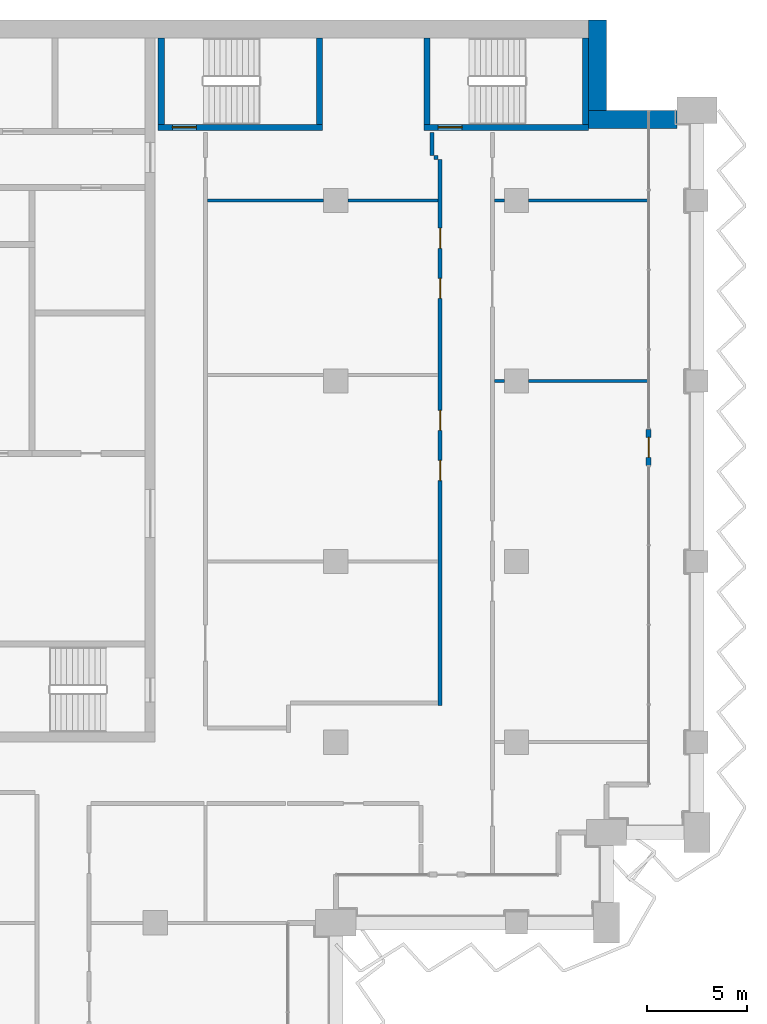
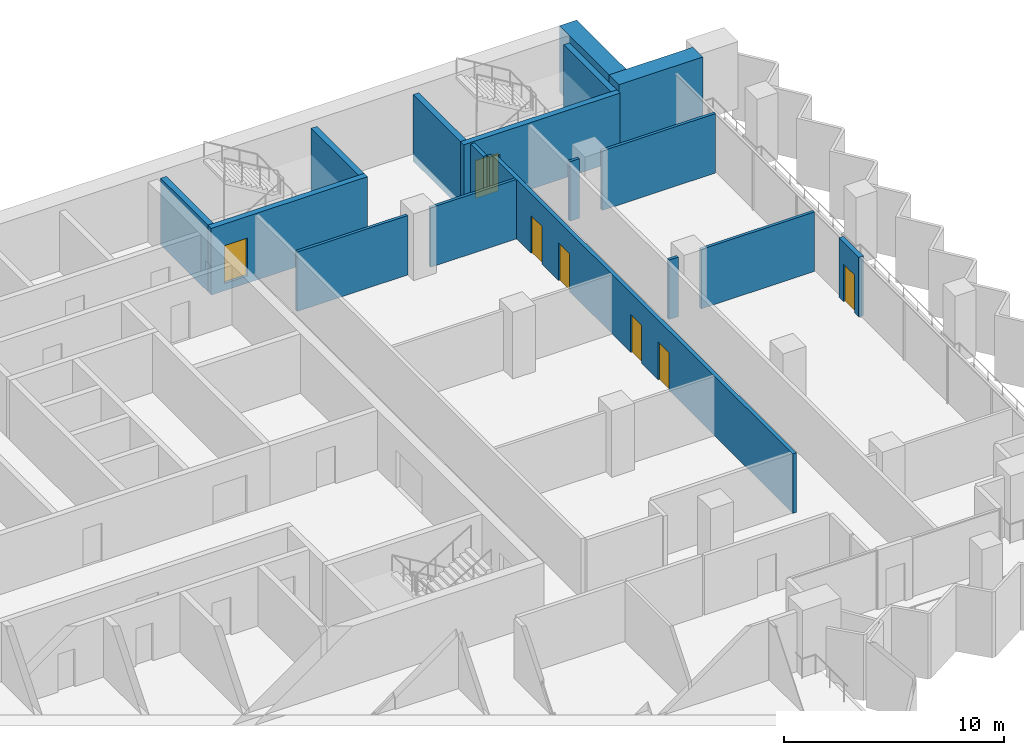
# One storey, part 15 of 23: 18 walls, 7 doors, 7 openings.
"""IFC4 building model written with IfcOpenShell, lengths in metres."""

from ifc_helpers import new_model, si_unit, direction, frame, frame_2d, origin, place, context, subcontext, project, spatial, rectangle, extrude, material, layer, layer_set, type_object, element, fill, save


model = new_model("IFC4")

# Units and contexts
model_context = context("Model", 3, precision=1e-05, world=origin(), true_north=direction((0.0, 1.0)))
body_context = subcontext(model_context, "Body", "Model", "MODEL_VIEW")
ifc_project = project(units=[si_unit("LENGTHUNIT", "METRE"), si_unit("AREAUNIT", "SQUARE_METRE"), si_unit("VOLUMEUNIT", "CUBIC_METRE"), si_unit("PLANEANGLEUNIT", "RADIAN"), si_unit("MASSUNIT", "GRAM", prefix="KILO")], contexts=[model_context])

# Site, building, storey
site_placement = place(None, origin())
site = spatial("IfcSite", under=ifc_project, at=site_placement, CompositionType="ELEMENT")
building_placement = place(site_placement, origin())
building = spatial("IfcBuilding", under=site, at=building_placement, Name="Hunhe Ridgeline Campus", CompositionType="ELEMENT")
storey_placement = place(building_placement, frame((0.0, 0.0, 144.89990234375)))
storey = spatial("IfcBuildingStorey", under=building, at=storey_placement, Name="L36", CompositionType="ELEMENT", Elevation=144.89990234375)

# Walls
ifc_material_1 = material(Name="Gypsum board partition")
ifc_layer_1 = layer(ifc_material_1, 0.199951171875)
ifc_layer_set_1 = layer_set([ifc_layer_1], Name="Corridor partition 200 gypsum board on steel studs")
wall_type_1 = type_object("IfcWallType", Name="Corridor partition 200 gypsum board on steel studs", PredefinedType="PARTITIONING", material=ifc_layer_set_1)
wall_1_placement = place(storey_placement, frame((50.10009765625, 92.14990234375, 0.0), z_axis=(0.0, 0.0, 1.0), x_axis=(-1.0, 0.0, 0.0)))
element("IfcWall", 1, at=wall_1_placement, inside=storey, type_object=wall_type_1, Name="F-L36-wall-058", PredefinedType="PARTITIONING", context=body_context, shape_type="SweptSolid", body=[
    extrude(rectangle(XDim=0.2001953125, YDim=0.199951171875, at=frame_2d((0.10009765625, 0.0))), origin(), (0.0, 0.0, 1.0), 3.300048828125),
])
wall_2_placement = place(storey_placement, frame((49.800048828125, 92.25, 0.0), z_axis=(0.0, 0.0, 1.0), x_axis=(0.0, 1.0, 0.0)))
element("IfcWall", 2, at=wall_2_placement, inside=storey, type_object=wall_type_1, Name="F-L36-wall-074", PredefinedType="PARTITIONING", context=body_context, shape_type="SweptSolid", body=[
    extrude(rectangle(XDim=1.14599609375, YDim=0.199951171875, at=frame_2d((0.572998046875, 0.0))), origin(), (0.0, 0.0, 1.0), 3.300048828125),
])

# Wall, openings, doors
wall_3_placement = place(storey_placement, frame((50.199951171875, 64.820068359375, 0.0), z_axis=(0.0, 0.0, 1.0), x_axis=(0.0, 1.0, 0.0)))
wall_3 = element("IfcWall", 3, at=wall_3_placement, inside=storey, type_object=wall_type_1, Name="F-L36-wall-075", PredefinedType="PARTITIONING", context=body_context, shape_type="SweptSolid", body=[
    extrude(rectangle(XDim=27.22998046875, YDim=0.199951171875, at=frame_2d((13.614990234375, 0.0))), origin(), (0.0, 0.0, 1.0), 3.300048828125),
])
opening_1_placement = place(wall_3_placement, frame((11.22412109375, 0.0, 0.0)))
opening_1 = element("IfcOpeningElement", 4, at=opening_1_placement, cuts=wall_3, Name="Opening RD1-031", PredefinedType="OPENING", context=body_context, shape_type="SweptSolid", body=[
    extrude(rectangle(XDim=1.0, YDim=2.10009765625, at=frame_2d((0.5, 1.050048828125))), frame((0.0, 0.10009765625, 0.0), z_axis=(0.0, -1.0, 0.0), x_axis=(1.0, 0.0, 0.0)), (0.0, 0.0, 1.0), 0.199951171875),
])
opening_2_placement = place(wall_3_placement, frame((13.72412109375, 0.0, 0.0)))
opening_2 = element("IfcOpeningElement", 5, at=opening_2_placement, cuts=wall_3, Name="Opening RD1-032", PredefinedType="OPENING", context=body_context, shape_type="SweptSolid", body=[
    extrude(rectangle(XDim=1.0, YDim=2.10009765625, at=frame_2d((0.5, 1.050048828125))), frame((0.0, 0.10009765625, 0.0), z_axis=(0.0, -1.0, 0.0), x_axis=(1.0, 0.0, 0.0)), (0.0, 0.0, 1.0), 0.199951171875),
])
opening_3_placement = place(wall_3_placement, frame((20.300537109375, 0.0, 0.0)))
opening_3 = element("IfcOpeningElement", 6, at=opening_3_placement, cuts=wall_3, Name="Opening RD1-033", PredefinedType="OPENING", context=body_context, shape_type="SweptSolid", body=[
    extrude(rectangle(XDim=1.0, YDim=2.10009765625, at=frame_2d((0.5, 1.050048828125))), frame((0.0, 0.10009765625, 0.0), z_axis=(0.0, -1.0, 0.0), x_axis=(1.0, 0.0, 0.0)), (0.0, 0.0, 1.0), 0.199951171875),
])
opening_4_placement = place(wall_3_placement, frame((22.800537109375, 0.0, 0.0)))
opening_4 = element("IfcOpeningElement", 7, at=opening_4_placement, cuts=wall_3, Name="Opening RD1-035", PredefinedType="OPENING", context=body_context, shape_type="SweptSolid", body=[
    extrude(rectangle(XDim=1.0, YDim=2.10009765625, at=frame_2d((0.5, 1.050048828125))), frame((0.0, 0.10009765625, 0.0), z_axis=(0.0, -1.0, 0.0), x_axis=(1.0, 0.0, 0.0)), (0.0, 0.0, 1.0), 0.199951171875),
])
ifc_material_2 = material(Name="Timber door leaf", Category="wood")
door_type_1 = type_object("IfcDoorType", Name="Single fire door 1000x2100 timber FD60", OperationType="NOTDEFINED", PredefinedType="DOOR", material=ifc_material_2)
door_1_placement = place(opening_1_placement, frame((1.0, 0.0, 0.0), z_axis=(0.0, 0.0, 1.0), x_axis=(-1.0, 0.0, 0.0)))
door_1 = element("IfcDoor", 8, at=door_1_placement, inside=storey, type_object=door_type_1, Name="F-L36-door-031", OperationType="SINGLE_SWING_LEFT", OverallHeight=2.10009765625, OverallWidth=1.0, PredefinedType="DOOR", context=body_context, shape_type="SweptSolid", body=[
    extrude(rectangle(XDim=1.0, YDim=2.10009765625, at=frame_2d((0.5, 1.050048828125))), frame((0.0, 0.02490234375, 0.0), z_axis=(0.0, -1.0, 0.0), x_axis=(1.0, 0.0, 0.0)), (0.0, 0.0, 1.0), 0.050048828125),
])
fill(opening_1, door_1)
door_2_placement = place(opening_2_placement, frame((1.0, 0.0, 0.0), z_axis=(0.0, 0.0, 1.0), x_axis=(-1.0, 0.0, 0.0)))
door_2 = element("IfcDoor", 9, at=door_2_placement, inside=storey, type_object=door_type_1, Name="F-L36-door-032", OperationType="SINGLE_SWING_LEFT", OverallHeight=2.10009765625, OverallWidth=1.0, PredefinedType="DOOR", context=body_context, shape_type="SweptSolid", body=[
    extrude(rectangle(XDim=1.0, YDim=2.10009765625, at=frame_2d((0.5, 1.050048828125))), frame((0.0, 0.02490234375, 0.0), z_axis=(0.0, -1.0, 0.0), x_axis=(1.0, 0.0, 0.0)), (0.0, 0.0, 1.0), 0.050048828125),
])
fill(opening_2, door_2)
door_3_placement = place(opening_3_placement, frame((1.0, 0.0, 0.0), z_axis=(0.0, 0.0, 1.0), x_axis=(-1.0, 0.0, 0.0)))
door_3 = element("IfcDoor", 10, at=door_3_placement, inside=storey, type_object=door_type_1, Name="F-L36-door-033", OperationType="SINGLE_SWING_LEFT", OverallHeight=2.10009765625, OverallWidth=1.0, PredefinedType="DOOR", context=body_context, shape_type="SweptSolid", body=[
    extrude(rectangle(XDim=1.0, YDim=2.10009765625, at=frame_2d((0.5, 1.050048828125))), frame((0.0, 0.02490234375, 0.0), z_axis=(0.0, -1.0, 0.0), x_axis=(1.0, 0.0, 0.0)), (0.0, 0.0, 1.0), 0.050048828125),
])
fill(opening_3, door_3)
door_4_placement = place(opening_4_placement, frame((1.0, 0.0, 0.0), z_axis=(0.0, 0.0, 1.0), x_axis=(-1.0, 0.0, 0.0)))
door_4 = element("IfcDoor", 11, at=door_4_placement, inside=storey, type_object=door_type_1, Name="F-L36-door-035", OperationType="SINGLE_SWING_LEFT", OverallHeight=2.10009765625, OverallWidth=1.0, PredefinedType="DOOR", context=body_context, shape_type="SweptSolid", body=[
    extrude(rectangle(XDim=1.0, YDim=2.10009765625, at=frame_2d((0.5, 1.050048828125))), frame((0.0, 0.02490234375, 0.0), z_axis=(0.0, -1.0, 0.0), x_axis=(1.0, 0.0, 0.0)), (0.0, 0.0, 1.0), 0.050048828125),
])
fill(opening_4, door_4)

# Wall, opening, door
ifc_material_3 = material(Name="Concrete C30", Category="concrete")
ifc_layer_2 = layer(ifc_material_3, 0.25)
ifc_layer_set_2 = layer_set([ifc_layer_2], Name="Loggia door pier wall 250 Concrete C30")
wall_type_2 = type_object("IfcWallType", Name="Loggia door pier wall 250 Concrete C30", PredefinedType="SOLIDWALL", material=ifc_layer_set_2)
wall_4_placement = place(storey_placement, frame((60.59912109375, 76.800537109375, 0.0), z_axis=(0.0, 0.0, 1.0), x_axis=(0.0, 1.0, 0.0)))
wall_4 = element("IfcWall", 12, at=wall_4_placement, inside=storey, type_object=wall_type_2, Name="Loggia door pier 4", PredefinedType="SOLIDWALL", context=body_context, shape_type="SweptSolid", body=[
    extrude(rectangle(XDim=1.800048828125, YDim=0.25, at=frame_2d((0.89990234375, 0.0))), origin(), (0.0, 0.0, 1.0), 3.300048828125),
])
opening_5_placement = place(wall_4_placement, frame((0.39990234375, 0.0, 0.0)))
opening_5 = element("IfcOpeningElement", 13, at=opening_5_placement, cuts=wall_4, Name="Opening BD307", PredefinedType="OPENING", context=body_context, shape_type="SweptSolid", body=[
    extrude(rectangle(XDim=1.0, YDim=2.10009765625, at=frame_2d((0.5, 1.050048828125))), frame((0.0, 0.125, 0.0), z_axis=(0.0, -1.0, 0.0), x_axis=(1.0, 0.0, 0.0)), (0.0, 0.0, 1.0), 0.25),
])
ifc_material_4 = material(Name="Aluminium 6063", Category="aluminium")
door_type_2 = type_object("IfcDoorType", Name="Loggia glazed door 1000x2100", OperationType="NOTDEFINED", PredefinedType="DOOR", material=ifc_material_4)
door_5_placement = place(opening_5_placement, frame((1.0, 0.0, 0.0), z_axis=(0.0, 0.0, 1.0), x_axis=(-1.0, 0.0, 0.0)))
door_5 = element("IfcDoor", 14, at=door_5_placement, inside=storey, type_object=door_type_2, Name="Loggia door BD307", OperationType="SINGLE_SWING_RIGHT", OverallHeight=2.10009765625, OverallWidth=1.0, PredefinedType="DOOR", context=body_context, shape_type="SweptSolid", body=[
    extrude(rectangle(XDim=1.0, YDim=2.10009765625, at=frame_2d((0.5, 1.050048828125))), frame((0.0, 0.02490234375, 0.0), z_axis=(0.0, -1.0, 0.0), x_axis=(1.0, 0.0, 0.0)), (0.0, 0.0, 1.0), 0.050048828125),
])
fill(opening_5, door_5)

# Walls
ifc_layer_3 = layer(ifc_material_1, 0.14990234375)
ifc_layer_set_3 = layer_set([ifc_layer_3], Name="Room partition 150 gypsum board on steel studs")
wall_type_3 = type_object("IfcWallType", Name="Room partition 150 gypsum board on steel studs", PredefinedType="PARTITIONING", material=ifc_layer_set_3)
wall_5_placement = place(storey_placement, frame((52.89990234375, 81.0, 0.0), z_axis=(0.0, 0.0, 1.0), x_axis=(1.0, 0.0, 0.0)))
element("IfcWall", 15, at=wall_5_placement, inside=storey, type_object=wall_type_3, Name="F-L36-wall-050", PredefinedType="PARTITIONING", context=body_context, shape_type="SweptSolid", body=[
    extrude(rectangle(XDim=0.5, YDim=0.14990234375, at=frame_2d((0.25, 0.0))), origin(), (0.0, 0.0, 1.0), 3.300048828125),
])
wall_6_placement = place(storey_placement, frame((54.60009765625, 81.0, 0.0), z_axis=(0.0, 0.0, 1.0), x_axis=(1.0, 0.0, 0.0)))
element("IfcWall", 16, at=wall_6_placement, inside=storey, type_object=wall_type_3, Name="F-L36-wall-051", PredefinedType="PARTITIONING", context=body_context, shape_type="SweptSolid", body=[
    extrude(rectangle(XDim=5.94482421875, YDim=0.14990234375, at=frame_2d((2.972412109375, 0.0))), origin(), (0.0, 0.0, 1.0), 3.300048828125),
])
wall_7_placement = place(storey_placement, frame((38.60009765625, 90.0, 0.0), z_axis=(0.0, 0.0, 1.0), x_axis=(1.0, 0.0, 0.0)))
element("IfcWall", 17, at=wall_7_placement, inside=storey, type_object=wall_type_3, Name="F-L36-wall-054", PredefinedType="PARTITIONING", context=body_context, shape_type="SweptSolid", body=[
    extrude(rectangle(XDim=5.7998046875, YDim=0.14990234375, at=frame_2d((2.89990234375, 0.0))), origin(), (0.0, 0.0, 1.0), 3.300048828125),
])
wall_8_placement = place(storey_placement, frame((45.60009765625, 90.0, 0.0), z_axis=(0.0, 0.0, 1.0), x_axis=(1.0, 0.0, 0.0)))
element("IfcWall", 18, at=wall_8_placement, inside=storey, type_object=wall_type_3, Name="F-L36-wall-055", PredefinedType="PARTITIONING", context=body_context, shape_type="SweptSolid", body=[
    extrude(rectangle(XDim=4.5, YDim=0.14990234375, at=frame_2d((2.25, 0.0))), origin(), (0.0, 0.0, 1.0), 3.300048828125),
])
wall_9_placement = place(storey_placement, frame((52.89990234375, 90.0, 0.0), z_axis=(0.0, 0.0, 1.0), x_axis=(1.0, 0.0, 0.0)))
element("IfcWall", 19, at=wall_9_placement, inside=storey, type_object=wall_type_3, Name="F-L36-wall-056", PredefinedType="PARTITIONING", context=body_context, shape_type="SweptSolid", body=[
    extrude(rectangle(XDim=0.5, YDim=0.14990234375, at=frame_2d((0.25, 0.0))), origin(), (0.0, 0.0, 1.0), 3.300048828125),
])
wall_10_placement = place(storey_placement, frame((54.60009765625, 90.0, 0.0), z_axis=(0.0, 0.0, 1.0), x_axis=(1.0, 0.0, 0.0)))
element("IfcWall", 20, at=wall_10_placement, inside=storey, type_object=wall_type_3, Name="F-L36-wall-057", PredefinedType="PARTITIONING", context=body_context, shape_type="SweptSolid", body=[
    extrude(rectangle(XDim=5.94482421875, YDim=0.14990234375, at=frame_2d((2.972412109375, 0.0))), origin(), (0.0, 0.0, 1.0), 3.300048828125),
])
ifc_material_5 = material(Name="Concrete C70", Category="concrete")
ifc_layer_4 = layer(ifc_material_5, 0.89990234375)
ifc_layer_set_4 = layer_set([ifc_layer_4], Name="Spine wall 900 Concrete C70")
wall_type_4 = type_object("IfcWallType", Name="Spine wall 900 Concrete C70", PredefinedType="SHEAR", material=ifc_layer_set_4)
wall_11_placement = place(storey_placement, frame((62.0, 94.050048828125, 0.0), z_axis=(0.0, 0.0, 1.0), x_axis=(-1.0, 0.0, 0.0)))
element("IfcWall", 21, at=wall_11_placement, inside=storey, type_object=wall_type_4, Name="Spine wall SW2-2 L36", PredefinedType="SHEAR", context=body_context, shape_type="SweptSolid", body=[
    extrude(rectangle(XDim=4.400390625, YDim=0.89990234375, at=frame_2d((2.2001953125, 0.0))), origin(), (0.0, 0.0, 1.0), 3.7001953125),
])
wall_12_placement = place(storey_placement, frame((58.050048828125, 93.60009765625, 0.0), z_axis=(0.0, 0.0, 1.0), x_axis=(0.0, 1.0, 0.0)))
element("IfcWall", 22, at=wall_12_placement, inside=storey, type_object=wall_type_4, Name="Spine wall SW2-3 L36", PredefinedType="SHEAR", context=body_context, shape_type="SweptSolid", body=[
    extrude(rectangle(XDim=5.39990234375, YDim=0.89990234375, at=frame_2d((2.699951171875, 0.0))), origin(), (0.0, 0.0, 1.0), 3.7001953125),
])

# Wall, opening, door
ifc_layer_5 = layer(ifc_material_5, 0.300048828125)
ifc_layer_set_5 = layer_set([ifc_layer_5], Name="Stair wall 300 reinforced concrete C70")
wall_type_5 = type_object("IfcWallType", Name="Stair wall 300 reinforced concrete C70", PredefinedType="SOLIDWALL", material=ifc_layer_set_5)
wall_13_placement = place(storey_placement, frame((36.14990234375, 93.64990234375, -0.39990234375), z_axis=(0.0, 0.0, 1.0), x_axis=(1.0, 0.0, 0.0)))
wall_13 = element("IfcWall", 23, at=wall_13_placement, inside=storey, type_object=wall_type_5, Name="L36 core wall 28", PredefinedType="SOLIDWALL", context=body_context, shape_type="SweptSolid", body=[
    extrude(rectangle(XDim=8.2001953125, YDim=0.300048828125, at=frame_2d((4.10009765625, 0.0))), origin(), (0.0, 0.0, 1.0), 3.699951171875),
])
opening_6_placement = place(wall_13_placement, frame((0.699951171875, 0.0, 0.39990234375)))
opening_6 = element("IfcOpeningElement", 24, at=opening_6_placement, cuts=wall_13, Name="Opening CD17", PredefinedType="OPENING", context=body_context, shape_type="SweptSolid", body=[
    extrude(rectangle(XDim=1.199951171875, YDim=2.10009765625, at=frame_2d((0.60009765625, 1.050048828125))), frame((0.0, 0.14990234375, 0.0), z_axis=(0.0, -1.0, 0.0), x_axis=(1.0, 0.0, 0.0)), (0.0, 0.0, 1.0), 0.300048828125),
])
ifc_material_6 = material(Name="Hollow metal fire door leaf")
door_type_3 = type_object("IfcDoorType", Name="Stair door 1200x2100 FD60", OperationType="SINGLE_SWING_LEFT", PredefinedType="DOOR", material=ifc_material_6)
door_6_placement = place(opening_6_placement, frame((1.199951171875, 0.0, 0.0), z_axis=(0.0, 0.0, 1.0), x_axis=(-1.0, 0.0, 0.0)))
door_6 = element("IfcDoor", 25, at=door_6_placement, inside=storey, type_object=door_type_3, Name="L36 door E1", OperationType="SINGLE_SWING_RIGHT", OverallHeight=2.10009765625, OverallWidth=1.199951171875, PredefinedType="DOOR", context=body_context, shape_type="SweptSolid", body=[
    extrude(rectangle(XDim=1.199951171875, YDim=2.10009765625, at=frame_2d((0.60009765625, 1.050048828125))), frame((0.0, 0.02490234375, 0.0), z_axis=(0.0, -1.0, 0.0), x_axis=(1.0, 0.0, 0.0)), (0.0, 0.0, 1.0), 0.050048828125),
])
fill(opening_6, door_6)

wall_14_placement = place(storey_placement, frame((49.39990234375, 93.64990234375, -0.39990234375), z_axis=(0.0, 0.0, 1.0), x_axis=(1.0, 0.0, 0.0)))
wall_14 = element("IfcWall", 26, at=wall_14_placement, inside=storey, type_object=wall_type_5, Name="L36 core wall 29", PredefinedType="SOLIDWALL", context=body_context, shape_type="SweptSolid", body=[
    extrude(rectangle(XDim=8.2001953125, YDim=0.300048828125, at=frame_2d((4.10009765625, 0.0))), origin(), (0.0, 0.0, 1.0), 3.699951171875),
])
opening_7_placement = place(wall_14_placement, frame((0.699951171875, 0.0, 0.39990234375)))
opening_7 = element("IfcOpeningElement", 27, at=opening_7_placement, cuts=wall_14, Name="Opening CD18", PredefinedType="OPENING", context=body_context, shape_type="SweptSolid", body=[
    extrude(rectangle(XDim=1.199951171875, YDim=2.10009765625, at=frame_2d((0.60009765625, 1.050048828125))), frame((0.0, 0.14990234375, 0.0), z_axis=(0.0, -1.0, 0.0), x_axis=(1.0, 0.0, 0.0)), (0.0, 0.0, 1.0), 0.300048828125),
])
door_7_placement = place(opening_7_placement, frame((1.199951171875, 0.0, 0.0), z_axis=(0.0, 0.0, 1.0), x_axis=(-1.0, 0.0, 0.0)))
door_7 = element("IfcDoor", 28, at=door_7_placement, inside=storey, type_object=door_type_3, Name="L36 door E2", OperationType="SINGLE_SWING_LEFT", OverallHeight=2.10009765625, OverallWidth=1.199951171875, PredefinedType="DOOR", context=body_context, shape_type="SweptSolid", body=[
    extrude(rectangle(XDim=1.199951171875, YDim=2.10009765625, at=frame_2d((0.60009765625, 1.050048828125))), frame((0.0, 0.02490234375, 0.0), z_axis=(0.0, -1.0, 0.0), x_axis=(1.0, 0.0, 0.0)), (0.0, 0.0, 1.0), 0.050048828125),
])
fill(opening_7, door_7)

# Walls
for number, where, z_axis, x_axis, name in (
    (29, (36.300048828125, 93.800048828125, -0.39990234375), (0.0, 0.0, 1.0), (0.0, 1.0, 0.0), "L36 core wall 61"),
    (30, (44.199951171875, 93.800048828125, -0.39990234375), (0.0, 0.0, 1.0), (0.0, 1.0, 0.0), "L36 core wall 62"),
    (31, (49.550048828125, 93.800048828125, -0.39990234375), (0.0, 0.0, 1.0), (0.0, 1.0, 0.0), "L36 core wall 63"),
    (32, (57.449951171875, 93.800048828125, -0.39990234375), (0.0, 0.0, 1.0), (0.0, 1.0, 0.0), "L36 core wall 64"),
):
    element("IfcWall", number, at=place(storey_placement, frame(where, z_axis=z_axis, x_axis=x_axis)), inside=storey, type_object=wall_type_5, Name=name, PredefinedType="SOLIDWALL", context=body_context, shape_type="SweptSolid", body=[
        extrude(rectangle(XDim=4.300048828125, YDim=0.300048828125, at=frame_2d((2.14990234375, 0.0))), origin(), (0.0, 0.0, 1.0), 3.699951171875),
    ])

save(model, "model.ifc")
